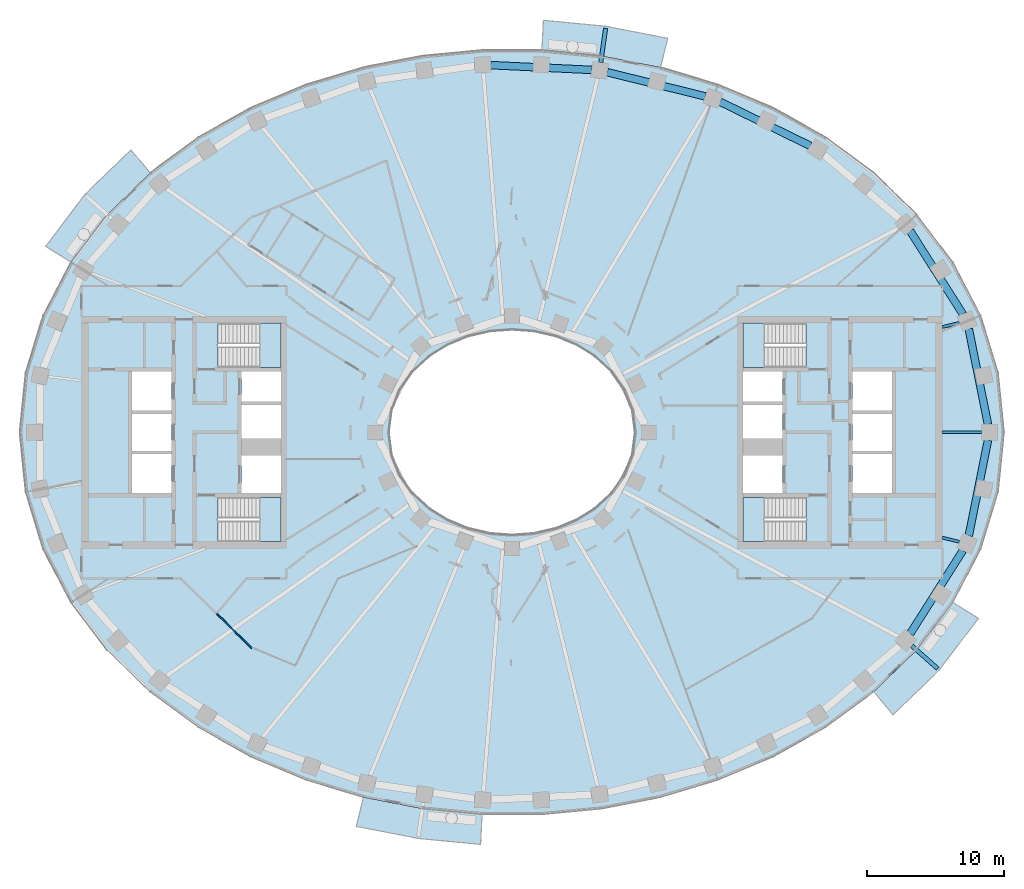
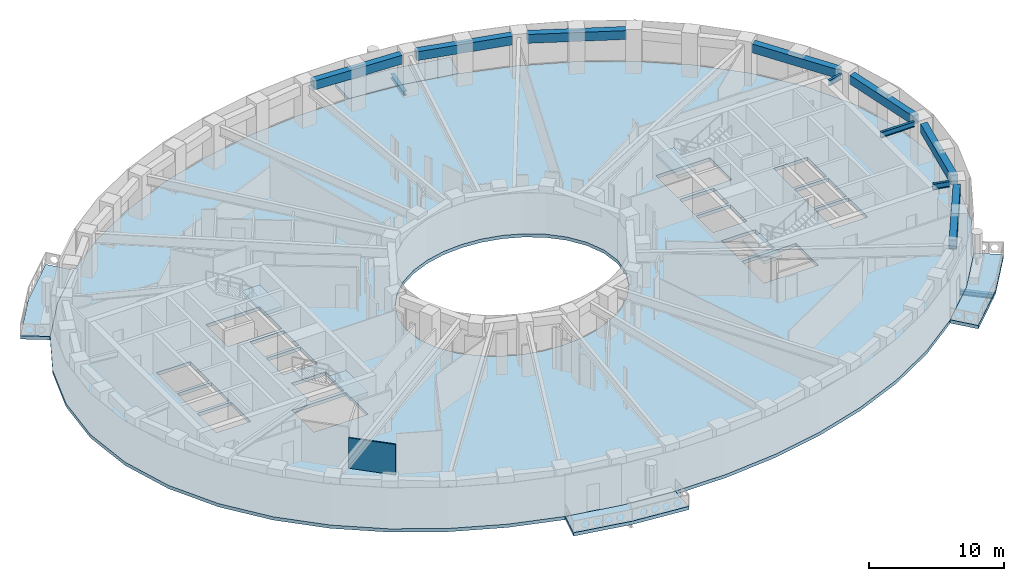
# One storey, part 2 of 16: 12 beams, 9 slabs, 1 wall, 4 elements without a shape of their own.
"""IFC4 building model written with IfcOpenShell, lengths in metres."""

from ifc_helpers import new_model, si_unit, direction, frame, frame_2d, origin, origin_2d, place, context, subcontext, project, spatial, polyline, rectangle, i_section, outline, extrude, material, layer, layer_set, material_profile, profile_set, type_object, element, aggregate, save


model = new_model("IFC4")

# Units and contexts
model_context = context("Model", 3, precision=1e-05, world=origin(), true_north=direction((0.0, 1.0)))
body_context = subcontext(model_context, "Body", "Model", "MODEL_VIEW")
ifc_project = project(units=[si_unit("LENGTHUNIT", "METRE"), si_unit("AREAUNIT", "SQUARE_METRE"), si_unit("VOLUMEUNIT", "CUBIC_METRE"), si_unit("PLANEANGLEUNIT", "RADIAN"), si_unit("MASSUNIT", "GRAM", prefix="KILO")], contexts=[model_context])

# Site, building, storey
site_placement = place(None, origin())
site = spatial("IfcSite", under=ifc_project, at=site_placement, CompositionType="ELEMENT")
building_placement = place(site_placement, origin())
building = spatial("IfcBuilding", under=site, at=building_placement, Name="Noorbagh Ring Tower", CompositionType="ELEMENT")
storey_placement = place(building_placement, frame((0.0, 0.0, 154.0)))
storey = spatial("IfcBuildingStorey", under=building, at=storey_placement, Name="L35", CompositionType="ELEMENT", Elevation=154.0)

# Beams
ifc_material_1 = material(Name="Steel S355", Category="steel")
ifc_material_profile_1 = material_profile(ifc_material_1, i_section(OverallWidth=0.300048828125, OverallDepth=0.39990234375, WebThickness=0.013427734375, FlangeThickness=0.02392578125, FilletRadius=0.027099609375, at=origin_2d()), Name="HEB400")
ifc_profile_set_1 = profile_set([ifc_material_profile_1], Name="Steel S355")
beam_type_1 = type_object("IfcBeamType", Name="STR-BALCONY-BRACKET-HEB400", PredefinedType="BEAM", material=ifc_profile_set_1)
beam_1_placement = place(storey_placement, frame((6.4921875, 27.06494140625, -0.5), z_axis=(0.143073420259, 0.989712077533, 0.0), x_axis=(-0.989712077533, 0.143073420259, 0.0)))
element("IfcBeam", 1, at=beam_1_placement, inside=storey, type_object=beam_type_1, Name="Balcony bracket beam BN03", PredefinedType="BEAM", context=body_context, shape_type="SweptSolid", body=[
    extrude(i_section(OverallWidth=0.300048828125, OverallDepth=0.39990234375, WebThickness=0.013427734375, FlangeThickness=0.02392578125, FilletRadius=0.027099609375, at=origin_2d()), origin(), (0.0, 0.0, 1.0), 2.523681640625),
])
beam_2_placement = place(storey_placement, frame((29.253173828125, -15.61474609375, -0.5), z_axis=(0.749068405178, -0.662492659856, 0.0), x_axis=(0.662492659856, 0.749068405178, 0.0)))
element("IfcBeam", 2, at=beam_2_placement, inside=storey, type_object=beam_type_1, Name="Balcony bracket beam BS06", PredefinedType="BEAM", context=body_context, shape_type="SweptSolid", body=[
    extrude(i_section(OverallWidth=0.300048828125, OverallDepth=0.39990234375, WebThickness=0.013427734375, FlangeThickness=0.02392578125, FilletRadius=0.027099609375, at=origin_2d()), origin(), (0.0, 0.0, 1.0), 2.529541015625),
])
ifc_material_2 = material(Name="Steel S355", Category="steel")
ifc_material_profile_2 = material_profile(ifc_material_2, i_section(OverallWidth=0.199951171875, OverallDepth=0.5, WebThickness=0.01025390625, FlangeThickness=0.01611328125, FilletRadius=0.02099609375, at=origin_2d()), Name="IPE500")
ifc_profile_set_2 = profile_set([ifc_material_profile_2], Name="Steel S355")
beam_type_2 = type_object("IfcBeamType", Name="STR-RAD-IPE500", PredefinedType="BEAM", material=ifc_profile_set_2)
beam_3_placement = place(storey_placement, frame((34.36474609375, 0.0, 3.449951171875), z_axis=(-1.0, 0.0, 0.0), x_axis=(0.0, -1.0, 0.0)))
element("IfcBeam", 3, at=beam_3_placement, inside=storey, type_object=beam_type_2, Name="L35/bm/RD01", PredefinedType="BEAM", context=body_context, shape_type="SweptSolid", body=[
    extrude(i_section(OverallWidth=0.199951171875, OverallDepth=0.5, WebThickness=0.01025390625, FlangeThickness=0.01611328125, FilletRadius=0.02099609375, at=origin_2d()), origin(), (0.0, 0.0, 1.0), 2.884765625),
])
for number, where, z_axis, x_axis, name in (
    (4, (32.7353515625, 8.010009765625, 3.449951171875), (-0.971331161348, -0.237730467116, 0.0), (0.237730467116, -0.971331161348, 0.0), "L35/bm/RD03"),
    (5, (32.7353515625, -8.010009765625, 3.449951171875), (-0.971331161348, 0.237730467116, 0.0), (-0.237730467116, -0.971331161348, 0.0), "L35/bm/RD45"),
):
    element("IfcBeam", number, at=place(storey_placement, frame(where, z_axis=z_axis, x_axis=x_axis)), inside=storey, type_object=beam_type_2, Name=name, PredefinedType="BEAM", context=body_context, shape_type="SweptSolid", body=[
        extrude(i_section(OverallWidth=0.199951171875, OverallDepth=0.5, WebThickness=0.01025390625, FlangeThickness=0.01611328125, FilletRadius=0.02099609375, at=origin_2d()), origin(), (0.0, 0.0, 1.0), 1.2919921875),
    ])
ifc_material_3 = material(Name="Concrete C40/50", Category="concrete")
ifc_material_profile_3 = material_profile(ifc_material_3, rectangle(XDim=0.550048828125, YDim=0.800048828125, at=origin_2d()), Name="RC550x800")
ifc_profile_set_3 = profile_set([ifc_material_profile_3], Name="Concrete C40/50")
beam_type_3 = type_object("IfcBeamType", Name="STR-SB-RC550x800-C40-50", PredefinedType="BEAM", material=ifc_profile_set_3)
beam_4_placement = place(storey_placement, frame((34.827880859375, 0.580322265625, 3.300048828125), z_axis=(-0.19720917592, 0.980361433826, 0.0), x_axis=(-0.980361433826, -0.19720917592, 0.0)))
element("IfcBeam", 6, at=beam_4_placement, inside=storey, type_object=beam_type_3, Name="L35/bm/SP01", PredefinedType="BEAM", context=body_context, shape_type="SweptSolid", body=[
    extrude(rectangle(XDim=0.550048828125, YDim=0.800048828125, at=origin_2d()), origin(), (0.0, 0.0, 1.0), 7.12939453125),
])
beam_5_placement = place(storey_placement, frame((32.98974609375, 8.647216796875, 3.300048828125), z_axis=(-0.535190716377, 0.844731257326, 0.0), x_axis=(-0.844731257326, -0.535190716377, 0.0)))
element("IfcBeam", 7, at=beam_5_placement, inside=storey, type_object=beam_type_3, Name="L35/bm/SP03", PredefinedType="BEAM", context=body_context, shape_type="SweptSolid", body=[
    extrude(rectangle(XDim=0.550048828125, YDim=0.800048828125, at=origin_2d()), origin(), (0.0, 0.0, 1.0), 7.205810546875),
])
beam_6_placement = place(storey_placement, frame((21.837158203125, 20.95654296875, 3.300048828125), z_axis=(-0.898397175695, 0.439183918994, 0.0), x_axis=(-0.439183918994, -0.898397175695, 0.0)))
element("IfcBeam", 8, at=beam_6_placement, inside=storey, type_object=beam_type_3, Name="L35/bm/SP07", PredefinedType="BEAM", context=body_context, shape_type="SweptSolid", body=[
    extrude(rectangle(XDim=0.550048828125, YDim=0.800048828125, at=origin_2d()), origin(), (0.0, 0.0, 1.0), 7.35009765625),
])
beam_7_placement = place(storey_placement, frame((14.143310546875, 24.580810546875, 3.300048828125), z_axis=(-0.970832897369, 0.239757138341, 0.0), x_axis=(-0.239757138341, -0.970832897369, 0.0)))
element("IfcBeam", 9, at=beam_7_placement, inside=storey, type_object=beam_type_3, Name="L35/bm/SP09", PredefinedType="BEAM", context=body_context, shape_type="SweptSolid", body=[
    extrude(rectangle(XDim=0.550048828125, YDim=0.800048828125, at=origin_2d()), origin(), (0.0, 0.0, 1.0), 7.383544921875),
])
beam_8_placement = place(storey_placement, frame((5.8271484375, 26.5185546875, 3.300048828125), z_axis=(-0.9988682124, 0.047563581193, 0.0), x_axis=(-0.047563581193, -0.9988682124, 0.0)))
element("IfcBeam", 10, at=beam_8_placement, inside=storey, type_object=beam_type_3, Name="L35/bm/SP11", PredefinedType="BEAM", context=body_context, shape_type="SweptSolid", body=[
    extrude(rectangle(XDim=0.550048828125, YDim=0.800048828125, at=origin_2d()), origin(), (0.0, 0.0, 1.0), 7.396484375),
])
beam_9_placement = place(storey_placement, frame((29.13330078125, -14.734130859375, 3.300048828125), z_axis=(0.535190716377, 0.844731257326, 0.0), x_axis=(-0.844731257326, 0.535190716377, 0.0)))
element("IfcBeam", 11, at=beam_9_placement, inside=storey, type_object=beam_type_3, Name="L35/bm/SP43", PredefinedType="BEAM", context=body_context, shape_type="SweptSolid", body=[
    extrude(rectangle(XDim=0.550048828125, YDim=0.800048828125, at=origin_2d()), origin(), (0.0, 0.0, 1.0), 7.205810546875),
])
beam_10_placement = place(storey_placement, frame((33.421875, -7.56982421875, 3.300048828125), z_axis=(0.19720917592, 0.980361433826, 0.0), x_axis=(-0.980361433826, 0.19720917592, 0.0)))
element("IfcBeam", 12, at=beam_10_placement, inside=storey, type_object=beam_type_3, Name="L35/bm/SP45", PredefinedType="BEAM", context=body_context, shape_type="SweptSolid", body=[
    extrude(rectangle(XDim=0.550048828125, YDim=0.800048828125, at=origin_2d()), origin(), (0.0, 0.0, 1.0), 7.12939453125),
])

# Stair, slab
ifc_material_4 = material(Name="Concrete C40/50", Category="concrete")
stair_type = type_object("IfcStairType", Name="CORE-STAIR", PredefinedType="HALF_TURN_STAIR", material=ifc_material_4)
stair_1_placement = place(storey_placement, origin())
stair_1 = element("IfcStair", 13, at=stair_1_placement, inside=storey, type_object=stair_type, Name="L35 Exit stair ST1", PredefinedType="HALF_TURN_STAIR")
ifc_material_5 = material(Name="Concrete C40/50", Category="concrete")
ifc_layer_1 = layer(ifc_material_5, 0.300048828125)
ifc_layer_set_1 = layer_set([ifc_layer_1], Name="Concrete C40/50")
slab_type_1 = type_object("IfcSlabType", Name="CORE-STAIR-LANDING", PredefinedType="LANDING", material=ifc_layer_set_1)
slab_1_placement = place(storey_placement, frame((0.0, 0.0, 1.699951171875)))
slab_1 = element("IfcSlab", 14, at=slab_1_placement, type_object=slab_type_1, Name="ST1 landing 1", PredefinedType="LANDING", context=body_context, shape_type="SweptSolid", body=[
    extrude(outline(polyline([(-18.449951171875, 4.75), (-16.89990234375, 4.75), (-16.89990234375, 8.0), (-18.449951171875, 8.0), (-18.449951171875, 4.75)])), origin(), (0.0, 0.0, 1.0), 0.300048828125),
])
aggregate(stair_1, [slab_1])

stair_2_placement = place(storey_placement, origin())
stair_2 = element("IfcStair", 15, at=stair_2_placement, inside=storey, type_object=stair_type, Name="L35 Exit stair ST2", PredefinedType="HALF_TURN_STAIR")
slab_2_placement = place(storey_placement, frame((0.0, 0.0, 1.699951171875)))
slab_2 = element("IfcSlab", 16, at=slab_2_placement, type_object=slab_type_1, Name="ST2 landing 1", PredefinedType="LANDING", context=body_context, shape_type="SweptSolid", body=[
    extrude(outline(polyline([(-18.449951171875, -8.0), (-16.89990234375, -8.0), (-16.89990234375, -4.75), (-18.449951171875, -4.75), (-18.449951171875, -8.0)])), origin(), (0.0, 0.0, 1.0), 0.300048828125),
])
aggregate(stair_2, [slab_2])

stair_3_placement = place(storey_placement, origin())
stair_3 = element("IfcStair", 17, at=stair_3_placement, inside=storey, type_object=stair_type, Name="L35 Exit stair ST3", PredefinedType="HALF_TURN_STAIR")
slab_3_placement = place(storey_placement, frame((0.0, 0.0, 1.699951171875)))
slab_3 = element("IfcSlab", 18, at=slab_3_placement, type_object=slab_type_1, Name="ST3 landing 1", PredefinedType="LANDING", context=body_context, shape_type="SweptSolid", body=[
    extrude(outline(polyline([(18.449951171875, 8.0), (16.89990234375, 8.0), (16.89990234375, 4.75), (18.449951171875, 4.75), (18.449951171875, 8.0)])), origin(), (0.0, 0.0, 1.0), 0.300048828125),
])
aggregate(stair_3, [slab_3])

stair_4_placement = place(storey_placement, origin())
stair_4 = element("IfcStair", 19, at=stair_4_placement, inside=storey, type_object=stair_type, Name="L35 Exit stair ST4", PredefinedType="HALF_TURN_STAIR")
slab_4_placement = place(storey_placement, frame((0.0, 0.0, 1.699951171875)))
slab_4 = element("IfcSlab", 20, at=slab_4_placement, type_object=slab_type_1, Name="ST4 landing 1", PredefinedType="LANDING", context=body_context, shape_type="SweptSolid", body=[
    extrude(outline(polyline([(18.449951171875, -4.75), (16.89990234375, -4.75), (16.89990234375, -8.0), (18.449951171875, -8.0), (18.449951171875, -4.75)])), origin(), (0.0, 0.0, 1.0), 0.300048828125),
])
aggregate(stair_4, [slab_4])

# Slabs
ifc_material_6 = material(Name="Concrete C40/50", Category="concrete")
ifc_layer_2 = layer(ifc_material_6, 0.300048828125)
ifc_layer_set_2 = layer_set([ifc_layer_2], Name="Concrete C40/50")
slab_type_2 = type_object("IfcSlabType", Name="ENV-BALCONY DECK 300", PredefinedType="FLOOR", material=ifc_layer_set_2)
slab_5_placement = place(storey_placement, frame((0.0, 0.0, -0.300048828125)))
element("IfcSlab", 21, at=slab_5_placement, inside=storey, type_object=slab_type_2, Name="Tree balcony deck BN03", PredefinedType="FLOOR", context=body_context, shape_type="SweptSolid", body=[
    extrude(outline(polyline([(11.3935546875, 28.832763671875), (6.874755859375, 29.711181640625), (2.2978515625, 30.14794921875), (2.193115234375, 27.947998046875), (6.5595703125, 27.53125), (10.865234375, 26.6943359375), (11.3935546875, 28.832763671875)])), origin(), (0.0, 0.0, 1.0), 0.300048828125),
])
slab_6_placement = place(storey_placement, frame((0.0, 0.0, -0.300048828125)))
element("IfcSlab", 22, at=slab_6_placement, inside=storey, type_object=slab_type_2, Name="Tree balcony deck BN06", PredefinedType="FLOOR", context=body_context, shape_type="SweptSolid", body=[
    extrude(outline(polyline([(-27.888671875, 20.665771484375), (-31.26025390625, 17.389892578125), (-34.120361328125, 13.615966796875), (-32.255126953125, 12.434814453125), (-29.607666015625, 15.92822265625), (-26.463134765625, 18.983154296875), (-27.888671875, 20.665771484375)])), origin(), (0.0, 0.0, 1.0), 0.300048828125),
])
slab_7_placement = place(storey_placement, frame((0.0, 0.0, -0.300048828125)))
element("IfcSlab", 23, at=slab_7_placement, inside=storey, type_object=slab_type_2, Name="Tree balcony deck BS03", PredefinedType="FLOOR", context=body_context, shape_type="SweptSolid", body=[
    extrude(outline(polyline([(-11.3935546875, -28.832763671875), (-6.874755859375, -29.711181640625), (-2.2978515625, -30.14794921875), (-2.193115234375, -27.947998046875), (-6.5595703125, -27.53125), (-10.865234375, -26.6943359375), (-11.3935546875, -28.832763671875)])), origin(), (0.0, 0.0, 1.0), 0.300048828125),
])
slab_8_placement = place(storey_placement, frame((0.0, 0.0, -0.300048828125)))
element("IfcSlab", 24, at=slab_8_placement, inside=storey, type_object=slab_type_2, Name="Tree balcony deck BS06", PredefinedType="FLOOR", context=body_context, shape_type="SweptSolid", body=[
    extrude(outline(polyline([(27.888671875, -20.665771484375), (31.26025390625, -17.389892578125), (34.120361328125, -13.615966796875), (32.255126953125, -12.434814453125), (29.607666015625, -15.92822265625), (26.463134765625, -18.983154296875), (27.888671875, -20.665771484375)])), origin(), (0.0, 0.0, 1.0), 0.300048828125),
])
ifc_material_7 = material(Name="Concrete C40/50", Category="concrete")
ifc_layer_3 = layer(ifc_material_7, 0.300048828125)
ifc_layer_set_3 = layer_set([ifc_layer_3], Name="Concrete C40/50")
slab_type_3 = type_object("IfcSlabType", Name="STR-FLOOR-DECK-300", PredefinedType="FLOOR", material=ifc_layer_set_3)
slab_9_placement = place(storey_placement, frame((0.0, 0.0, -0.300048828125)))
element("IfcSlab", 25, at=slab_9_placement, inside=storey, type_object=slab_type_3, Name="L35/slab/1", PredefinedType="FLOOR", context=body_context, shape_type="SweptSolid", body=[
    extrude(outline(polyline([(36.0, 0.0), (35.56103515625, 4.358642578125), (34.281005859375, 8.548828125), (32.255126953125, 12.434814453125), (29.607666015625, 15.92822265625), (26.463134765625, 18.983154296875), (22.9326171875, 21.583740234375), (19.108154296875, 23.730224609375), (15.0654296875, 25.430419921875), (10.865234375, 26.6943359375), (6.5595703125, 27.53125), (2.193115234375, 27.947998046875), (-2.193115234375, 27.947998046875), (-6.5595703125, 27.53125), (-10.865234375, 26.6943359375), (-15.0654296875, 25.430419921875), (-19.108154296875, 23.730224609375), (-22.9326171875, 21.583740234375), (-26.463134765625, 18.983154296875), (-29.607666015625, 15.92822265625), (-32.255126953125, 12.434814453125), (-34.281005859375, 8.548828125), (-35.56103515625, 4.358642578125), (-36.0, 0.0), (-35.56103515625, -4.358642578125), (-34.281005859375, -8.548828125), (-32.255126953125, -12.434814453125), (-29.607666015625, -15.92822265625), (-26.463134765625, -18.983154296875), (-22.9326171875, -21.583740234375), (-19.108154296875, -23.730224609375), (-15.0654296875, -25.430419921875), (-10.865234375, -26.6943359375), (-6.5595703125, -27.53125), (-2.193115234375, -27.947998046875), (2.193115234375, -27.947998046875), (6.5595703125, -27.53125), (10.865234375, -26.6943359375), (15.0654296875, -25.430419921875), (19.108154296875, -23.730224609375), (22.9326171875, -21.583740234375), (26.463134765625, -18.983154296875), (29.607666015625, -15.92822265625), (32.255126953125, -12.434814453125), (34.281005859375, -8.548828125), (35.56103515625, -4.358642578125), (36.0, 0.0)]), holes=[polyline([(24.89990234375, 4.449951171875), (27.800048828125, 4.449951171875), (27.800048828125, 1.60009765625), (24.89990234375, 1.60009765625), (24.89990234375, 4.449951171875)]), polyline([(24.89990234375, 1.35009765625), (27.800048828125, 1.35009765625), (27.800048828125, -1.35009765625), (24.89990234375, -1.35009765625), (24.89990234375, 1.35009765625)]), polyline([(24.89990234375, -1.60009765625), (27.800048828125, -1.60009765625), (27.800048828125, -4.449951171875), (24.89990234375, -4.449951171875), (24.89990234375, -1.60009765625)]), polyline([(21.529541015625, -8.0), (16.89990234375, -8.0), (16.89990234375, -4.75), (21.529541015625, -4.75), (21.529541015625, -8.0)]), polyline([(16.89990234375, 4.75), (16.89990234375, 8.0), (21.529541015625, 8.0), (21.529541015625, 4.75), (16.89990234375, 4.75)]), polyline([(19.800048828125, 4.449951171875), (19.800048828125, 2.25), (16.89990234375, 2.25), (16.89990234375, 4.449951171875), (19.800048828125, 4.449951171875)]), polyline([(16.89990234375, 2.0), (19.800048828125, 2.0), (19.800048828125, -0.449951171875), (16.89990234375, -0.449951171875), (16.89990234375, 2.0)]), polyline([(16.89990234375, -1.699951171875), (19.800048828125, -1.699951171875), (19.800048828125, -4.449951171875), (16.89990234375, -4.449951171875), (16.89990234375, -1.699951171875)]), polyline([(4.697509765625, -6.3974609375), (3.196533203125, -7.010986328125), (1.6171875, -7.3779296875), (0.0, -7.5), (-1.6171875, -7.3779296875), (-3.196533203125, -7.010986328125), (-4.697509765625, -6.3974609375), (-6.071044921875, -5.53662109375), (-7.2587890625, -4.43408203125), (-8.1904296875, -3.10888671875), (-8.79150390625, -1.605224609375), (-9.0, 0.0), (-8.79150390625, 1.605224609375), (-8.1904296875, 3.10888671875), (-7.2587890625, 4.43408203125), (-6.071044921875, 5.53662109375), (-4.697509765625, 6.3974609375), (-3.196533203125, 7.010986328125), (-1.6171875, 7.3779296875), (0.0, 7.5), (1.6171875, 7.3779296875), (3.196533203125, 7.010986328125), (4.697509765625, 6.3974609375), (6.071044921875, 5.53662109375), (7.2587890625, 4.43408203125), (8.1904296875, 3.10888671875), (8.79150390625, 1.605224609375), (9.0, 0.0), (8.79150390625, -1.605224609375), (8.1904296875, -3.10888671875), (7.2587890625, -4.43408203125), (6.071044921875, -5.53662109375), (4.697509765625, -6.3974609375)]), polyline([(-16.89990234375, 2.25), (-19.800048828125, 2.25), (-19.800048828125, 4.449951171875), (-16.89990234375, 4.449951171875), (-16.89990234375, 2.25)]), polyline([(-16.89990234375, -0.449951171875), (-19.800048828125, -0.449951171875), (-19.800048828125, 2.0), (-16.89990234375, 2.0), (-16.89990234375, -0.449951171875)]), polyline([(-16.89990234375, -4.449951171875), (-19.800048828125, -4.449951171875), (-19.800048828125, -1.699951171875), (-16.89990234375, -1.699951171875), (-16.89990234375, -4.449951171875)]), polyline([(-21.529541015625, 8.0), (-16.89990234375, 8.0), (-16.89990234375, 4.75), (-21.529541015625, 4.75), (-21.529541015625, 8.0)]), polyline([(-21.529541015625, -4.75), (-16.89990234375, -4.75), (-16.89990234375, -8.0), (-21.529541015625, -8.0), (-21.529541015625, -4.75)]), polyline([(-24.89990234375, -4.449951171875), (-27.800048828125, -4.449951171875), (-27.800048828125, -1.60009765625), (-24.89990234375, -1.60009765625), (-24.89990234375, -4.449951171875)]), polyline([(-24.89990234375, 1.60009765625), (-27.800048828125, 1.60009765625), (-27.800048828125, 4.449951171875), (-24.89990234375, 4.449951171875), (-24.89990234375, 1.60009765625)]), polyline([(-24.89990234375, -1.35009765625), (-27.800048828125, -1.35009765625), (-27.800048828125, 1.35009765625), (-24.89990234375, 1.35009765625), (-24.89990234375, -1.35009765625)])]), origin(), (0.0, 0.0, 1.0), 0.300048828125),
])

# Wall
ifc_material_8 = material(Name="Gypsum board on steel studs", Category="steel")
ifc_layer_4 = layer(ifc_material_8, 0.10009765625)
ifc_layer_set_4 = layer_set([ifc_layer_4], Name="Gypsum board on steel studs")
wall_type = type_object("IfcWallType", Name="PARTITION 100 GYPSUM", PredefinedType="PARTITIONING", material=ifc_layer_set_4)
wall_placement = place(storey_placement, frame((-21.616943359375, -13.263916015625, 0.0), z_axis=(0.0, 0.0, 1.0), x_axis=(0.715469649978, -0.698643814802, 0.0)))
element("IfcWall", 26, at=wall_placement, inside=storey, type_object=wall_type, Name="L35/wall/P11", PredefinedType="PARTITIONING", context=body_context, shape_type="SweptSolid", body=[
    extrude(rectangle(XDim=3.613037109375, YDim=0.10009765625, at=frame_2d((1.806640625, 0.0))), origin(), (0.0, 0.0, 1.0), 2.75),
])

save(model, "model.ifc")
